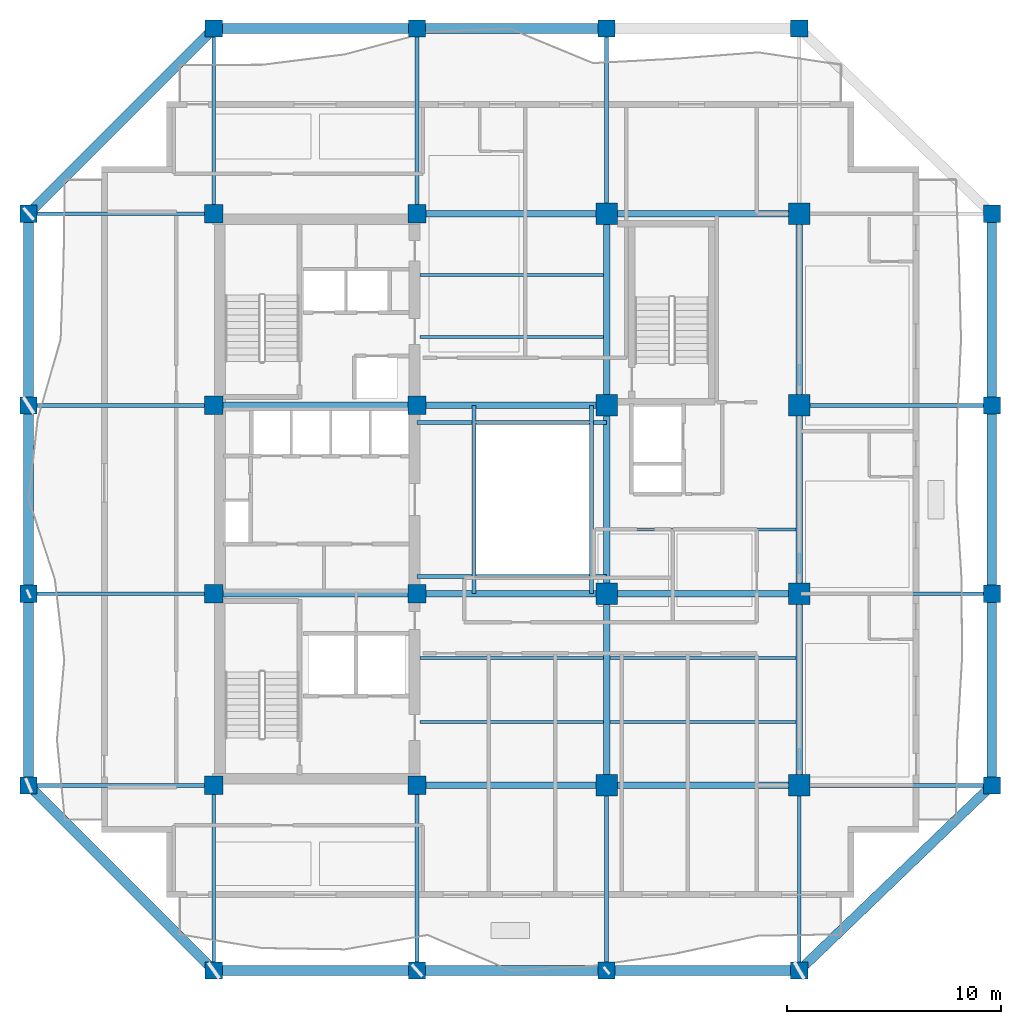
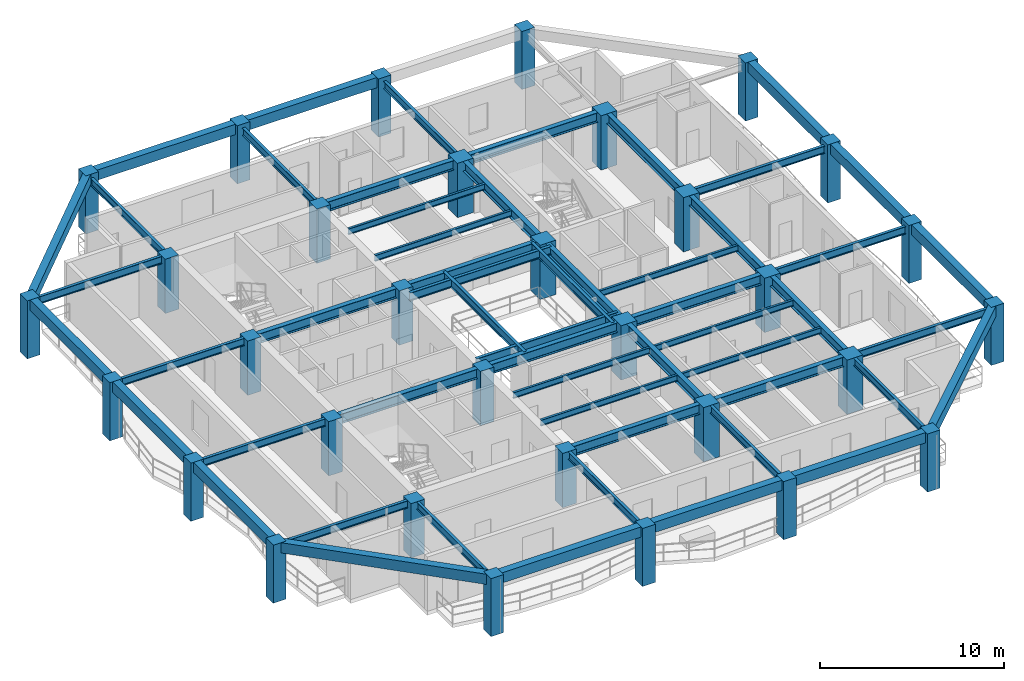
# One storey, part 1 of 11: 54 beams, 32 columns.
"""IFC4 building model written with IfcOpenShell, lengths in metres."""

from ifc_helpers import new_model, si_unit, direction, frame, origin, origin_2d, place, context, subcontext, project, spatial, rectangle, i_section, extrude, material, material_profile, profile_set, type_object, element, save


model = new_model("IFC4")

# Units and contexts
model_context = context("Model", 3, precision=1e-05, world=origin(), true_north=direction((0.0, 1.0)))
body_context = subcontext(model_context, "Body", "Model", "MODEL_VIEW")
ifc_project = project(units=[si_unit("LENGTHUNIT", "METRE"), si_unit("AREAUNIT", "SQUARE_METRE"), si_unit("VOLUMEUNIT", "CUBIC_METRE"), si_unit("PLANEANGLEUNIT", "RADIAN"), si_unit("MASSUNIT", "GRAM", prefix="KILO")], contexts=[model_context])

# Site, building, storey
site_placement = place(None, origin())
site = spatial("IfcSite", under=ifc_project, at=site_placement, CompositionType="ELEMENT")
building_placement = place(site_placement, origin())
building = spatial("IfcBuilding", under=site, at=building_placement, Name="Kundavana Baori Tower", CompositionType="ELEMENT")
storey_placement = place(building_placement, frame((0.0, 0.0, 142.5)))
storey = spatial("IfcBuildingStorey", under=building, at=storey_placement, Name="L34", CompositionType="ELEMENT", Elevation=142.5)

# Columns
ifc_material_1 = material(Name="Concrete C50/60", Category="concrete")
ifc_material_profile_1 = material_profile(ifc_material_1, rectangle(XDim=0.800048828125, YDim=0.800048828125, at=origin_2d()), Name="RC PF 800x800")
ifc_profile_set_1 = profile_set([ifc_material_profile_1], Name="Concrete C50/60")
column_type_1 = type_object("IfcColumnType", Name="COL-PF-800", PredefinedType="COLUMN", material=ifc_profile_set_1)
for number, where, z_axis, x_axis, name in (
    (1, (15.449951171875, 6.60009765625, 0.0), (0.0, 0.0, 1.0), (1.0, 0.0, 0.0), "L34 Stone-Clad Perimeter Frame Column PF-S1"),
    (2, (15.449951171875, 50.60009765625, 0.0), (0.0, 0.0, 1.0), (1.0, 0.0, 0.0), "L34 Stone-Clad Perimeter Frame Column PF-N1"),
    (3, (24.949951171875, 6.60009765625, 0.0), (0.0, 0.0, 1.0), (1.0, 0.0, 0.0), "L34 Stone-Clad Perimeter Frame Column PF-S2"),
    (4, (24.949951171875, 50.60009765625, 0.0), (0.0, 0.0, 1.0), (1.0, 0.0, 0.0), "L34 Stone-Clad Perimeter Frame Column PF-N2"),
    (5, (33.800048828125, 6.60009765625, 0.0), (0.0, 0.0, 1.0), (1.0, 0.0, 0.0), "L34 Stone-Clad Perimeter Frame Column PF-S3"),
    (6, (33.800048828125, 50.60009765625, 0.0), (0.0, 0.0, 1.0), (1.0, 0.0, 0.0), "L34 Stone-Clad Perimeter Frame Column PF-N3"),
    (7, (42.800048828125, 6.60009765625, 0.0), (0.0, 0.0, 1.0), (1.0, 0.0, 0.0), "L34 Stone-Clad Perimeter Frame Column PF-S4"),
    (8, (42.800048828125, 50.60009765625, 0.0), (0.0, 0.0, 1.0), (1.0, 0.0, 0.0), "L34 Stone-Clad Perimeter Frame Column PF-N4"),
    (9, (6.800048828125, 15.25, 0.0), (0.0, 0.0, 1.0), (1.0, 0.0, 0.0), "L34 Stone-Clad Perimeter Frame Column PF-W1"),
    (10, (51.800048828125, 15.25, 0.0), (0.0, 0.0, 1.0), (1.0, 0.0, 0.0), "L34 Stone-Clad Perimeter Frame Column PF-E1"),
    (11, (6.800048828125, 24.199951171875, 0.0), (0.0, 0.0, 1.0), (1.0, 0.0, 0.0), "L34 Stone-Clad Perimeter Frame Column PF-W2"),
    (12, (51.800048828125, 24.199951171875, 0.0), (0.0, 0.0, 1.0), (1.0, 0.0, 0.0), "L34 Stone-Clad Perimeter Frame Column PF-E2"),
    (13, (6.800048828125, 33.0, 0.0), (0.0, 0.0, 1.0), (1.0, 0.0, 0.0), "L34 Stone-Clad Perimeter Frame Column PF-W3"),
    (14, (51.800048828125, 33.0, 0.0), (0.0, 0.0, 1.0), (1.0, 0.0, 0.0), "L34 Stone-Clad Perimeter Frame Column PF-E3"),
    (15, (6.800048828125, 41.949951171875, 0.0), (0.0, 0.0, 1.0), (1.0, 0.0, 0.0), "L34 Stone-Clad Perimeter Frame Column PF-W4"),
    (16, (51.800048828125, 41.949951171875, 0.0), (0.0, 0.0, 1.0), (1.0, 0.0, 0.0), "L34 Stone-Clad Perimeter Frame Column PF-E4"),
):
    element("IfcColumn", number, at=place(storey_placement, frame(where, z_axis=z_axis, x_axis=x_axis)), inside=storey, type_object=column_type_1, Name=name, PredefinedType="COLUMN", context=body_context, shape_type="SweptSolid", body=[
        extrude(rectangle(XDim=0.800048828125, YDim=0.800048828125, at=origin_2d()), origin(), (0.0, 0.0, 1.0), 3.85009765625),
    ])
ifc_material_2 = material(Name="Concrete C50/60", Category="concrete")
ifc_material_profile_2 = material_profile(ifc_material_2, rectangle(XDim=1.0, YDim=1.0, at=origin_2d()), Name="RC 1000x1000")
ifc_profile_set_2 = profile_set([ifc_material_profile_2], Name="Concrete C50/60")
column_type_2 = type_object("IfcColumnType", Name="COL-RC-1000", PredefinedType="COLUMN", material=ifc_profile_set_2)
for number, where, z_axis, x_axis, name in (
    (17, (33.800048828125, 15.25, 0.0), (0.0, 0.0, 1.0), (1.0, 0.0, 0.0), "L34 Interior Column IC-5C"),
    (18, (33.800048828125, 24.199951171875, 0.0), (0.0, 0.0, 1.0), (1.0, 0.0, 0.0), "L34 Interior Column IC-5D"),
    (19, (33.800048828125, 33.0, 0.0), (0.0, 0.0, 1.0), (1.0, 0.0, 0.0), "L34 Interior Column IC-5E"),
    (20, (33.800048828125, 41.949951171875, 0.0), (0.0, 0.0, 1.0), (1.0, 0.0, 0.0), "L34 Interior Column IC-5F"),
    (21, (42.800048828125, 15.25, 0.0), (0.0, 0.0, 1.0), (1.0, 0.0, 0.0), "L34 Interior Column IC-6C"),
    (22, (42.800048828125, 24.199951171875, 0.0), (0.0, 0.0, 1.0), (1.0, 0.0, 0.0), "L34 Interior Column IC-6D"),
    (23, (42.800048828125, 33.0, 0.0), (0.0, 0.0, 1.0), (1.0, 0.0, 0.0), "L34 Interior Column IC-6E"),
    (24, (42.800048828125, 41.949951171875, 0.0), (0.0, 0.0, 1.0), (1.0, 0.0, 0.0), "L34 Interior Column IC-6F"),
):
    element("IfcColumn", number, at=place(storey_placement, frame(where, z_axis=z_axis, x_axis=x_axis)), inside=storey, type_object=column_type_2, Name=name, PredefinedType="COLUMN", context=body_context, shape_type="SweptSolid", body=[
        extrude(rectangle(XDim=1.0, YDim=1.0, at=origin_2d()), origin(), (0.0, 0.0, 1.0), 3.60009765625),
    ])
ifc_material_3 = material(Name="Concrete C50/60", Category="concrete")
ifc_material_profile_3 = material_profile(ifc_material_3, rectangle(XDim=0.85009765625, YDim=0.85009765625, at=origin_2d()), Name="RC 850x850")
ifc_profile_set_3 = profile_set([ifc_material_profile_3], Name="Concrete C50/60")
column_type_3 = type_object("IfcColumnType", Name="COL-RC-850", PredefinedType="COLUMN", material=ifc_profile_set_3)
for number, where, z_axis, x_axis, name in (
    (25, (15.449951171875, 15.25, 0.0), (0.0, 0.0, 1.0), (1.0, 0.0, 0.0), "L34 Interior Column IC-3C"),
    (26, (15.449951171875, 24.199951171875, 0.0), (0.0, 0.0, 1.0), (1.0, 0.0, 0.0), "L34 Interior Column IC-3D"),
    (27, (15.449951171875, 33.0, 0.0), (0.0, 0.0, 1.0), (1.0, 0.0, 0.0), "L34 Interior Column IC-3E"),
    (28, (15.449951171875, 41.949951171875, 0.0), (0.0, 0.0, 1.0), (1.0, 0.0, 0.0), "L34 Interior Column IC-3F"),
    (29, (24.949951171875, 15.25, 0.0), (0.0, 0.0, 1.0), (1.0, 0.0, 0.0), "L34 Interior Column IC-4C"),
    (30, (24.949951171875, 24.199951171875, 0.0), (0.0, 0.0, 1.0), (1.0, 0.0, 0.0), "L34 Interior Column IC-4D"),
    (31, (24.949951171875, 33.0, 0.0), (0.0, 0.0, 1.0), (1.0, 0.0, 0.0), "L34 Interior Column IC-4E"),
    (32, (24.949951171875, 41.949951171875, 0.0), (0.0, 0.0, 1.0), (1.0, 0.0, 0.0), "L34 Interior Column IC-4F"),
):
    element("IfcColumn", number, at=place(storey_placement, frame(where, z_axis=z_axis, x_axis=x_axis)), inside=storey, type_object=column_type_3, Name=name, PredefinedType="COLUMN", context=body_context, shape_type="SweptSolid", body=[
        extrude(rectangle(XDim=0.85009765625, YDim=0.85009765625, at=origin_2d()), origin(), (0.0, 0.0, 1.0), 3.60009765625),
    ])

# Beams
ifc_material_4 = material(Name="Structural Steel S355JR", Category="steel")
ifc_material_profile_4 = material_profile(ifc_material_4, i_section(OverallWidth=0.139892578125, OverallDepth=0.39990234375, WebThickness=0.0087890625, FlangeThickness=0.01611328125, FilletRadius=0.013916015625, at=origin_2d()), Name="ISMB 400")
ifc_profile_set_4 = profile_set([ifc_material_profile_4], Name="Structural Steel S355JR")
beam_type_1 = type_object("IfcBeamType", Name="BM-JST-400", PredefinedType="JOIST", material=ifc_profile_set_4)
for number, where, z_axis, x_axis, name in (
    (33, (25.080078125, 18.199951171875, 3.39990234375), (1.0, 0.0, 0.0), (0.0, 1.0, 0.0), "L34 Central Bay Composite Floor Joist C1"),
    (34, (25.080078125, 21.199951171875, 3.39990234375), (1.0, 0.0, 0.0), (0.0, 1.0, 0.0), "L34 Central Bay Composite Floor Joist C2"),
    (35, (25.080078125, 36.199951171875, 3.39990234375), (1.0, 0.0, 0.0), (0.0, 1.0, 0.0), "L34 Central Bay Composite Floor Joist C3"),
    (36, (25.080078125, 39.10009765625, 3.39990234375), (1.0, 0.0, 0.0), (0.0, 1.0, 0.0), "L34 Central Bay Composite Floor Joist C4"),
):
    element("IfcBeam", number, at=place(storey_placement, frame(where, z_axis=z_axis, x_axis=x_axis)), inside=storey, type_object=beam_type_1, Name=name, PredefinedType="JOIST", context=body_context, shape_type="SweptSolid", body=[
        extrude(i_section(OverallWidth=0.139892578125, OverallDepth=0.39990234375, WebThickness=0.0087890625, FlangeThickness=0.01611328125, FilletRadius=0.013916015625, at=origin_2d()), origin(), (0.0, 0.0, 1.0), 8.56982421875),
    ])
for number, where, z_axis, x_axis, name in (
    (37, (33.949951171875, 18.199951171875, 3.39990234375), (1.0, 0.0, 0.0), (0.0, 1.0, 0.0), "L34 East Bay Composite Floor Joist E1"),
    (38, (33.949951171875, 21.199951171875, 3.39990234375), (1.0, 0.0, 0.0), (0.0, 1.0, 0.0), "L34 East Bay Composite Floor Joist E2"),
    (39, (33.949951171875, 27.199951171875, 3.39990234375), (1.0, 0.0, 0.0), (0.0, 1.0, 0.0), "L34 East Bay Composite Floor Joist E3"),
):
    element("IfcBeam", number, at=place(storey_placement, frame(where, z_axis=z_axis, x_axis=x_axis)), inside=storey, type_object=beam_type_1, Name=name, PredefinedType="JOIST", context=body_context, shape_type="SweptSolid", body=[
        extrude(i_section(OverallWidth=0.139892578125, OverallDepth=0.39990234375, WebThickness=0.0087890625, FlangeThickness=0.01611328125, FilletRadius=0.013916015625, at=origin_2d()), origin(), (0.0, 0.0, 1.0), 8.699951171875),
    ])
ifc_material_5 = material(Name="Concrete C50/60", Category="concrete")
ifc_material_profile_5 = material_profile(ifc_material_5, rectangle(XDim=0.449951171875, YDim=0.679931640625, at=origin_2d()), Name="RC BM 450x680")
ifc_profile_set_5 = profile_set([ifc_material_profile_5], Name="Concrete C50/60")
beam_type_2 = type_object("IfcBeamType", Name="BM-PF-680", PredefinedType="SPANDREL", material=ifc_profile_set_5)
beam_1_placement = place(storey_placement, frame((15.449951171875, 6.60009765625, 3.510009765625), z_axis=(1.0, 0.0, 0.0), x_axis=(0.0, 1.0, 0.0)))
element("IfcBeam", 40, at=beam_1_placement, inside=storey, type_object=beam_type_2, Name="L34 Perimeter Frame Ring Beam S1", PredefinedType="SPANDREL", context=body_context, shape_type="SweptSolid", body=[
    extrude(rectangle(XDim=0.449951171875, YDim=0.679931640625, at=origin_2d()), origin(), (0.0, 0.0, 1.0), 9.5),
])
beam_2_placement = place(storey_placement, frame((24.949951171875, 6.60009765625, 3.510009765625), z_axis=(1.0, 0.0, 0.0), x_axis=(0.0, 1.0, 0.0)))
element("IfcBeam", 41, at=beam_2_placement, inside=storey, type_object=beam_type_2, Name="L34 Perimeter Frame Ring Beam S2", PredefinedType="SPANDREL", context=body_context, shape_type="SweptSolid", body=[
    extrude(rectangle(XDim=0.449951171875, YDim=0.679931640625, at=origin_2d()), origin(), (0.0, 0.0, 1.0), 8.85009765625),
])
beam_3_placement = place(storey_placement, frame((33.800048828125, 6.60009765625, 3.510009765625), z_axis=(1.0, 0.0, 0.0), x_axis=(0.0, 1.0, 0.0)))
element("IfcBeam", 42, at=beam_3_placement, inside=storey, type_object=beam_type_2, Name="L34 Perimeter Frame Ring Beam S3", PredefinedType="SPANDREL", context=body_context, shape_type="SweptSolid", body=[
    extrude(rectangle(XDim=0.449951171875, YDim=0.679931640625, at=origin_2d()), origin(), (0.0, 0.0, 1.0), 9.0),
])
beam_4_placement = place(storey_placement, frame((15.449951171875, 50.60009765625, 3.510009765625), z_axis=(1.0, 0.0, 0.0), x_axis=(0.0, 1.0, 0.0)))
element("IfcBeam", 43, at=beam_4_placement, inside=storey, type_object=beam_type_2, Name="L34 Perimeter Frame Ring Beam N1", PredefinedType="SPANDREL", context=body_context, shape_type="SweptSolid", body=[
    extrude(rectangle(XDim=0.449951171875, YDim=0.679931640625, at=origin_2d()), origin(), (0.0, 0.0, 1.0), 9.5),
])
beam_5_placement = place(storey_placement, frame((24.949951171875, 50.60009765625, 3.510009765625), z_axis=(1.0, 0.0, 0.0), x_axis=(0.0, 1.0, 0.0)))
element("IfcBeam", 44, at=beam_5_placement, inside=storey, type_object=beam_type_2, Name="L34 Perimeter Frame Ring Beam N2", PredefinedType="SPANDREL", context=body_context, shape_type="SweptSolid", body=[
    extrude(rectangle(XDim=0.449951171875, YDim=0.679931640625, at=origin_2d()), origin(), (0.0, 0.0, 1.0), 8.85009765625),
])
beam_6_placement = place(storey_placement, frame((6.800048828125, 15.25, 3.510009765625), z_axis=(0.0, 1.0, 0.0), x_axis=(-1.0, 0.0, 0.0)))
element("IfcBeam", 45, at=beam_6_placement, inside=storey, type_object=beam_type_2, Name="L34 Perimeter Frame Ring Beam W1", PredefinedType="SPANDREL", context=body_context, shape_type="SweptSolid", body=[
    extrude(rectangle(XDim=0.449951171875, YDim=0.679931640625, at=origin_2d()), origin(), (0.0, 0.0, 1.0), 8.949951171875),
])
beam_7_placement = place(storey_placement, frame((6.800048828125, 24.199951171875, 3.510009765625), z_axis=(0.0, 1.0, 0.0), x_axis=(-1.0, 0.0, 0.0)))
element("IfcBeam", 46, at=beam_7_placement, inside=storey, type_object=beam_type_2, Name="L34 Perimeter Frame Ring Beam W2", PredefinedType="SPANDREL", context=body_context, shape_type="SweptSolid", body=[
    extrude(rectangle(XDim=0.449951171875, YDim=0.679931640625, at=origin_2d()), origin(), (0.0, 0.0, 1.0), 8.800048828125),
])
for number, where, z_axis, x_axis, name in (
    (47, (6.800048828125, 33.0, 3.510009765625), (0.0, 1.0, 0.0), (-1.0, 0.0, 0.0), "L34 Perimeter Frame Ring Beam W3"),
    (48, (51.800048828125, 15.25, 3.510009765625), (0.0, 1.0, 0.0), (-1.0, 0.0, 0.0), "L34 Perimeter Frame Ring Beam E1"),
):
    element("IfcBeam", number, at=place(storey_placement, frame(where, z_axis=z_axis, x_axis=x_axis)), inside=storey, type_object=beam_type_2, Name=name, PredefinedType="SPANDREL", context=body_context, shape_type="SweptSolid", body=[
        extrude(rectangle(XDim=0.449951171875, YDim=0.679931640625, at=origin_2d()), origin(), (0.0, 0.0, 1.0), 8.949951171875),
    ])
beam_8_placement = place(storey_placement, frame((51.800048828125, 24.199951171875, 3.510009765625), z_axis=(0.0, 1.0, 0.0), x_axis=(-1.0, 0.0, 0.0)))
element("IfcBeam", 49, at=beam_8_placement, inside=storey, type_object=beam_type_2, Name="L34 Perimeter Frame Ring Beam E2", PredefinedType="SPANDREL", context=body_context, shape_type="SweptSolid", body=[
    extrude(rectangle(XDim=0.449951171875, YDim=0.679931640625, at=origin_2d()), origin(), (0.0, 0.0, 1.0), 8.800048828125),
])
beam_9_placement = place(storey_placement, frame((51.800048828125, 33.0, 3.510009765625), z_axis=(0.0, 1.0, 0.0), x_axis=(-1.0, 0.0, 0.0)))
element("IfcBeam", 50, at=beam_9_placement, inside=storey, type_object=beam_type_2, Name="L34 Perimeter Frame Ring Beam E3", PredefinedType="SPANDREL", context=body_context, shape_type="SweptSolid", body=[
    extrude(rectangle(XDim=0.449951171875, YDim=0.679931640625, at=origin_2d()), origin(), (0.0, 0.0, 1.0), 8.949951171875),
])
beam_10_placement = place(storey_placement, frame((15.449951171875, 6.60009765625, 3.510009765625), z_axis=(-0.707106781187, 0.707106781187, 0.0), x_axis=(-0.707106781187, -0.707106781187, 0.0)))
element("IfcBeam", 51, at=beam_10_placement, inside=storey, type_object=beam_type_2, Name="L34 Notched Corner Perimeter Beam SW", PredefinedType="SPANDREL", context=body_context, shape_type="SweptSolid", body=[
    extrude(rectangle(XDim=0.449951171875, YDim=0.679931640625, at=origin_2d()), origin(), (0.0, 0.0, 1.0), 12.23291015625),
])
beam_11_placement = place(storey_placement, frame((42.800048828125, 6.60009765625, 3.510009765625), z_axis=(0.720990894297, 0.692944536266, 0.0), x_axis=(-0.692944536266, 0.720990894297, 0.0)))
element("IfcBeam", 52, at=beam_11_placement, inside=storey, type_object=beam_type_2, Name="L34 Notched Corner Perimeter Beam SE", PredefinedType="SPANDREL", context=body_context, shape_type="SweptSolid", body=[
    extrude(rectangle(XDim=0.449951171875, YDim=0.679931640625, at=origin_2d()), origin(), (0.0, 0.0, 1.0), 12.48291015625),
])
beam_12_placement = place(storey_placement, frame((15.449951171875, 50.60009765625, 3.510009765625), z_axis=(-0.70709680233, -0.707116759903, 0.0), x_axis=(0.707116759903, -0.70709680233, 0.0)))
element("IfcBeam", 53, at=beam_12_placement, inside=storey, type_object=beam_type_2, Name="L34 Notched Corner Perimeter Beam NW", PredefinedType="SPANDREL", context=body_context, shape_type="SweptSolid", body=[
    extrude(rectangle(XDim=0.449951171875, YDim=0.679931640625, at=origin_2d()), origin(), (0.0, 0.0, 1.0), 12.23291015625),
])
ifc_material_6 = material(Name="Structural Steel S355JR", Category="steel")
ifc_material_profile_6 = material_profile(ifc_material_6, i_section(OverallWidth=0.18994140625, OverallDepth=0.550048828125, WebThickness=0.01123046875, FlangeThickness=0.019287109375, FilletRadius=0.01806640625, at=origin_2d()), Name="ISMB 550")
ifc_profile_set_6 = profile_set([ifc_material_profile_6], Name="Structural Steel S355JR")
beam_type_3 = type_object("IfcBeamType", Name="BM-ST-550", PredefinedType="BEAM", material=ifc_profile_set_6)
for number, where, z_axis, x_axis, name in (
    (54, (27.60009765625, 24.199951171875, 3.324951171875), (0.0, 1.0, 0.0), (-1.0, 0.0, 0.0), "L34 Atrium West Edge Beam"),
    (55, (33.10009765625, 24.199951171875, 3.324951171875), (0.0, 1.0, 0.0), (-1.0, 0.0, 0.0), "L34 Atrium East Edge Beam"),
):
    element("IfcBeam", number, at=place(storey_placement, frame(where, z_axis=z_axis, x_axis=x_axis)), inside=storey, type_object=beam_type_3, Name=name, PredefinedType="BEAM", context=body_context, shape_type="SweptSolid", body=[
        extrude(i_section(OverallWidth=0.18994140625, OverallDepth=0.550048828125, WebThickness=0.01123046875, FlangeThickness=0.019287109375, FilletRadius=0.01806640625, at=origin_2d()), origin(), (0.0, 0.0, 1.0), 8.800048828125),
    ])
for number, where, z_axis, x_axis, name in (
    (56, (24.949951171875, 25.0, 3.324951171875), (1.0, 0.0, 0.0), (0.0, 1.0, 0.0), "L34 Atrium South Edge Beam"),
    (57, (24.949951171875, 32.199951171875, 3.324951171875), (1.0, 0.0, 0.0), (0.0, 1.0, 0.0), "L34 Atrium North Edge Beam"),
):
    element("IfcBeam", number, at=place(storey_placement, frame(where, z_axis=z_axis, x_axis=x_axis)), inside=storey, type_object=beam_type_3, Name=name, PredefinedType="BEAM", context=body_context, shape_type="SweptSolid", body=[
        extrude(i_section(OverallWidth=0.18994140625, OverallDepth=0.550048828125, WebThickness=0.01123046875, FlangeThickness=0.019287109375, FilletRadius=0.01806640625, at=origin_2d()), origin(), (0.0, 0.0, 1.0), 8.85009765625),
    ])
ifc_material_7 = material(Name="Structural Steel S355JR", Category="steel")
ifc_material_profile_7 = material_profile(ifc_material_7, i_section(OverallWidth=0.300048828125, OverallDepth=0.64990234375, WebThickness=0.013427734375, FlangeThickness=0.02197265625, FilletRadius=0.02392578125, at=origin_2d()), Name="NPB 650x300x155")
ifc_profile_set_7 = profile_set([ifc_material_profile_7], Name="Structural Steel S355JR")
beam_type_4 = type_object("IfcBeamType", Name="BM-ST-650", PredefinedType="BEAM", material=ifc_profile_set_7)
beam_13_placement = place(storey_placement, frame((24.949951171875, 15.25, 3.27490234375), z_axis=(1.0, 0.0, 0.0), x_axis=(0.0, 1.0, 0.0)))
element("IfcBeam", 58, at=beam_13_placement, inside=storey, type_object=beam_type_4, Name="L34 Primary Grid Girder GX-1-2", PredefinedType="BEAM", context=body_context, shape_type="SweptSolid", body=[
    extrude(i_section(OverallWidth=0.300048828125, OverallDepth=0.64990234375, WebThickness=0.013427734375, FlangeThickness=0.02197265625, FilletRadius=0.02392578125, at=origin_2d()), origin(), (0.0, 0.0, 1.0), 8.85009765625),
])
beam_14_placement = place(storey_placement, frame((33.800048828125, 15.25, 3.27490234375), z_axis=(1.0, 0.0, 0.0), x_axis=(0.0, 1.0, 0.0)))
element("IfcBeam", 59, at=beam_14_placement, inside=storey, type_object=beam_type_4, Name="L34 Primary Grid Girder GX-1-3", PredefinedType="BEAM", context=body_context, shape_type="SweptSolid", body=[
    extrude(i_section(OverallWidth=0.300048828125, OverallDepth=0.64990234375, WebThickness=0.013427734375, FlangeThickness=0.02197265625, FilletRadius=0.02392578125, at=origin_2d()), origin(), (0.0, 0.0, 1.0), 9.0),
])
beam_15_placement = place(storey_placement, frame((15.449951171875, 24.199951171875, 3.27490234375), z_axis=(1.0, 0.0, 0.0), x_axis=(0.0, 1.0, 0.0)))
element("IfcBeam", 60, at=beam_15_placement, inside=storey, type_object=beam_type_4, Name="L34 Primary Grid Girder GX-2-1", PredefinedType="BEAM", context=body_context, shape_type="SweptSolid", body=[
    extrude(i_section(OverallWidth=0.300048828125, OverallDepth=0.64990234375, WebThickness=0.013427734375, FlangeThickness=0.02197265625, FilletRadius=0.02392578125, at=origin_2d()), origin(), (0.0, 0.0, 1.0), 9.5),
])
beam_16_placement = place(storey_placement, frame((24.949951171875, 24.199951171875, 3.27490234375), z_axis=(1.0, 0.0, 0.0), x_axis=(0.0, 1.0, 0.0)))
element("IfcBeam", 61, at=beam_16_placement, inside=storey, type_object=beam_type_4, Name="L34 Primary Grid Girder GX-2-2", PredefinedType="BEAM", context=body_context, shape_type="SweptSolid", body=[
    extrude(i_section(OverallWidth=0.300048828125, OverallDepth=0.64990234375, WebThickness=0.013427734375, FlangeThickness=0.02197265625, FilletRadius=0.02392578125, at=origin_2d()), origin(), (0.0, 0.0, 1.0), 8.85009765625),
])
beam_17_placement = place(storey_placement, frame((33.800048828125, 24.199951171875, 3.27490234375), z_axis=(1.0, 0.0, 0.0), x_axis=(0.0, 1.0, 0.0)))
element("IfcBeam", 62, at=beam_17_placement, inside=storey, type_object=beam_type_4, Name="L34 Primary Grid Girder GX-2-3", PredefinedType="BEAM", context=body_context, shape_type="SweptSolid", body=[
    extrude(i_section(OverallWidth=0.300048828125, OverallDepth=0.64990234375, WebThickness=0.013427734375, FlangeThickness=0.02197265625, FilletRadius=0.02392578125, at=origin_2d()), origin(), (0.0, 0.0, 1.0), 9.0),
])
beam_18_placement = place(storey_placement, frame((15.449951171875, 33.0, 3.27490234375), z_axis=(1.0, 0.0, 0.0), x_axis=(0.0, 1.0, 0.0)))
element("IfcBeam", 63, at=beam_18_placement, inside=storey, type_object=beam_type_4, Name="L34 Primary Grid Girder GX-3-1", PredefinedType="BEAM", context=body_context, shape_type="SweptSolid", body=[
    extrude(i_section(OverallWidth=0.300048828125, OverallDepth=0.64990234375, WebThickness=0.013427734375, FlangeThickness=0.02197265625, FilletRadius=0.02392578125, at=origin_2d()), origin(), (0.0, 0.0, 1.0), 9.5),
])
for number, where, z_axis, x_axis, name in (
    (64, (24.949951171875, 33.0, 3.27490234375), (1.0, 0.0, 0.0), (0.0, 1.0, 0.0), "L34 Primary Grid Girder GX-3-2"),
    (65, (24.949951171875, 41.949951171875, 3.27490234375), (1.0, 0.0, 0.0), (0.0, 1.0, 0.0), "L34 Primary Grid Girder GX-4-2"),
):
    element("IfcBeam", number, at=place(storey_placement, frame(where, z_axis=z_axis, x_axis=x_axis)), inside=storey, type_object=beam_type_4, Name=name, PredefinedType="BEAM", context=body_context, shape_type="SweptSolid", body=[
        extrude(i_section(OverallWidth=0.300048828125, OverallDepth=0.64990234375, WebThickness=0.013427734375, FlangeThickness=0.02197265625, FilletRadius=0.02392578125, at=origin_2d()), origin(), (0.0, 0.0, 1.0), 8.85009765625),
    ])
beam_19_placement = place(storey_placement, frame((33.800048828125, 41.949951171875, 3.27490234375), z_axis=(1.0, 0.0, 0.0), x_axis=(0.0, 1.0, 0.0)))
element("IfcBeam", 66, at=beam_19_placement, inside=storey, type_object=beam_type_4, Name="L34 Primary Grid Girder GX-4-3", PredefinedType="BEAM", context=body_context, shape_type="SweptSolid", body=[
    extrude(i_section(OverallWidth=0.300048828125, OverallDepth=0.64990234375, WebThickness=0.013427734375, FlangeThickness=0.02197265625, FilletRadius=0.02392578125, at=origin_2d()), origin(), (0.0, 0.0, 1.0), 9.0),
])
beam_20_placement = place(storey_placement, frame((33.800048828125, 15.25, 3.27490234375), z_axis=(0.0, 1.0, 0.0), x_axis=(-1.0, 0.0, 0.0)))
element("IfcBeam", 67, at=beam_20_placement, inside=storey, type_object=beam_type_4, Name="L34 Primary Grid Girder GY-3-1", PredefinedType="BEAM", context=body_context, shape_type="SweptSolid", body=[
    extrude(i_section(OverallWidth=0.300048828125, OverallDepth=0.64990234375, WebThickness=0.013427734375, FlangeThickness=0.02197265625, FilletRadius=0.02392578125, at=origin_2d()), origin(), (0.0, 0.0, 1.0), 8.949951171875),
])
beam_21_placement = place(storey_placement, frame((33.800048828125, 24.199951171875, 3.27490234375), z_axis=(0.0, 1.0, 0.0), x_axis=(-1.0, 0.0, 0.0)))
element("IfcBeam", 68, at=beam_21_placement, inside=storey, type_object=beam_type_4, Name="L34 Primary Grid Girder GY-3-2", PredefinedType="BEAM", context=body_context, shape_type="SweptSolid", body=[
    extrude(i_section(OverallWidth=0.300048828125, OverallDepth=0.64990234375, WebThickness=0.013427734375, FlangeThickness=0.02197265625, FilletRadius=0.02392578125, at=origin_2d()), origin(), (0.0, 0.0, 1.0), 8.800048828125),
])
for number, where, z_axis, x_axis, name in (
    (69, (33.800048828125, 33.0, 3.27490234375), (0.0, 1.0, 0.0), (-1.0, 0.0, 0.0), "L34 Primary Grid Girder GY-3-3"),
    (70, (42.800048828125, 15.25, 3.27490234375), (0.0, 1.0, 0.0), (-1.0, 0.0, 0.0), "L34 Primary Grid Girder GY-4-1"),
):
    element("IfcBeam", number, at=place(storey_placement, frame(where, z_axis=z_axis, x_axis=x_axis)), inside=storey, type_object=beam_type_4, Name=name, PredefinedType="BEAM", context=body_context, shape_type="SweptSolid", body=[
        extrude(i_section(OverallWidth=0.300048828125, OverallDepth=0.64990234375, WebThickness=0.013427734375, FlangeThickness=0.02197265625, FilletRadius=0.02392578125, at=origin_2d()), origin(), (0.0, 0.0, 1.0), 8.949951171875),
    ])
beam_22_placement = place(storey_placement, frame((42.800048828125, 24.199951171875, 3.27490234375), z_axis=(0.0, 1.0, 0.0), x_axis=(-1.0, 0.0, 0.0)))
element("IfcBeam", 71, at=beam_22_placement, inside=storey, type_object=beam_type_4, Name="L34 Primary Grid Girder GY-4-2", PredefinedType="BEAM", context=body_context, shape_type="SweptSolid", body=[
    extrude(i_section(OverallWidth=0.300048828125, OverallDepth=0.64990234375, WebThickness=0.013427734375, FlangeThickness=0.02197265625, FilletRadius=0.02392578125, at=origin_2d()), origin(), (0.0, 0.0, 1.0), 8.800048828125),
])
beam_23_placement = place(storey_placement, frame((42.800048828125, 33.0, 3.27490234375), z_axis=(0.0, 1.0, 0.0), x_axis=(-1.0, 0.0, 0.0)))
element("IfcBeam", 72, at=beam_23_placement, inside=storey, type_object=beam_type_4, Name="L34 Primary Grid Girder GY-4-3", PredefinedType="BEAM", context=body_context, shape_type="SweptSolid", body=[
    extrude(i_section(OverallWidth=0.300048828125, OverallDepth=0.64990234375, WebThickness=0.013427734375, FlangeThickness=0.02197265625, FilletRadius=0.02392578125, at=origin_2d()), origin(), (0.0, 0.0, 1.0), 8.949951171875),
])
ifc_material_8 = material(Name="Structural Steel S355JR", Category="steel")
ifc_material_profile_8 = material_profile(ifc_material_8, i_section(OverallWidth=0.179931640625, OverallDepth=0.5, WebThickness=0.01025390625, FlangeThickness=0.01708984375, FilletRadius=0.01708984375, at=origin_2d()), Name="ISMB 500")
ifc_profile_set_8 = profile_set([ifc_material_profile_8], Name="Structural Steel S355JR")
beam_type_5 = type_object("IfcBeamType", Name="BM-TIE-500", PredefinedType="BEAM", material=ifc_profile_set_8)
beam_24_placement = place(storey_placement, frame((15.449951171875, 15.25, 3.35009765625), z_axis=(0.0, -1.0, 0.0), x_axis=(1.0, 0.0, 0.0)))
element("IfcBeam", 73, at=beam_24_placement, inside=storey, type_object=beam_type_5, Name="L34 South Radial Loggia Tie Beam S1", PredefinedType="BEAM", context=body_context, shape_type="SweptSolid", body=[
    extrude(i_section(OverallWidth=0.179931640625, OverallDepth=0.5, WebThickness=0.01025390625, FlangeThickness=0.01708984375, FilletRadius=0.01708984375, at=origin_2d()), origin(), (0.0, 0.0, 1.0), 8.64990234375),
])
beam_25_placement = place(storey_placement, frame((15.449951171875, 41.949951171875, 3.35009765625), z_axis=(0.0, 1.0, 0.0), x_axis=(-1.0, 0.0, 0.0)))
element("IfcBeam", 74, at=beam_25_placement, inside=storey, type_object=beam_type_5, Name="L34 North Radial Loggia Tie Beam N1", PredefinedType="BEAM", context=body_context, shape_type="SweptSolid", body=[
    extrude(i_section(OverallWidth=0.179931640625, OverallDepth=0.5, WebThickness=0.01025390625, FlangeThickness=0.01708984375, FilletRadius=0.01708984375, at=origin_2d()), origin(), (0.0, 0.0, 1.0), 8.650146484375),
])
beam_26_placement = place(storey_placement, frame((24.949951171875, 15.25, 3.35009765625), z_axis=(0.0, -1.0, 0.0), x_axis=(1.0, 0.0, 0.0)))
element("IfcBeam", 75, at=beam_26_placement, inside=storey, type_object=beam_type_5, Name="L34 South Radial Loggia Tie Beam S2", PredefinedType="BEAM", context=body_context, shape_type="SweptSolid", body=[
    extrude(i_section(OverallWidth=0.179931640625, OverallDepth=0.5, WebThickness=0.01025390625, FlangeThickness=0.01708984375, FilletRadius=0.01708984375, at=origin_2d()), origin(), (0.0, 0.0, 1.0), 8.64990234375),
])
beam_27_placement = place(storey_placement, frame((24.949951171875, 41.949951171875, 3.35009765625), z_axis=(0.0, 1.0, 0.0), x_axis=(-1.0, 0.0, 0.0)))
element("IfcBeam", 76, at=beam_27_placement, inside=storey, type_object=beam_type_5, Name="L34 North Radial Loggia Tie Beam N2", PredefinedType="BEAM", context=body_context, shape_type="SweptSolid", body=[
    extrude(i_section(OverallWidth=0.179931640625, OverallDepth=0.5, WebThickness=0.01025390625, FlangeThickness=0.01708984375, FilletRadius=0.01708984375, at=origin_2d()), origin(), (0.0, 0.0, 1.0), 8.650146484375),
])
beam_28_placement = place(storey_placement, frame((33.800048828125, 15.25, 3.35009765625), z_axis=(0.0, -1.0, 0.0), x_axis=(1.0, 0.0, 0.0)))
element("IfcBeam", 77, at=beam_28_placement, inside=storey, type_object=beam_type_5, Name="L34 South Radial Loggia Tie Beam S3", PredefinedType="BEAM", context=body_context, shape_type="SweptSolid", body=[
    extrude(i_section(OverallWidth=0.179931640625, OverallDepth=0.5, WebThickness=0.01025390625, FlangeThickness=0.01708984375, FilletRadius=0.01708984375, at=origin_2d()), origin(), (0.0, 0.0, 1.0), 8.64990234375),
])
beam_29_placement = place(storey_placement, frame((33.800048828125, 41.949951171875, 3.35009765625), z_axis=(0.0, 1.0, 0.0), x_axis=(-1.0, 0.0, 0.0)))
element("IfcBeam", 78, at=beam_29_placement, inside=storey, type_object=beam_type_5, Name="L34 North Radial Loggia Tie Beam N3", PredefinedType="BEAM", context=body_context, shape_type="SweptSolid", body=[
    extrude(i_section(OverallWidth=0.179931640625, OverallDepth=0.5, WebThickness=0.01025390625, FlangeThickness=0.01708984375, FilletRadius=0.01708984375, at=origin_2d()), origin(), (0.0, 0.0, 1.0), 8.650146484375),
])
for number, where, z_axis, x_axis, name in (
    (79, (42.800048828125, 15.25, 3.35009765625), (0.0, -1.0, 0.0), (1.0, 0.0, 0.0), "L34 South Radial Loggia Tie Beam S4"),
    (80, (15.449951171875, 15.25, 3.35009765625), (-1.0, 0.0, 0.0), (0.0, -1.0, 0.0), "L34 West Radial Loggia Tie Beam W1"),
):
    element("IfcBeam", number, at=place(storey_placement, frame(where, z_axis=z_axis, x_axis=x_axis)), inside=storey, type_object=beam_type_5, Name=name, PredefinedType="BEAM", context=body_context, shape_type="SweptSolid", body=[
        extrude(i_section(OverallWidth=0.179931640625, OverallDepth=0.5, WebThickness=0.01025390625, FlangeThickness=0.01708984375, FilletRadius=0.01708984375, at=origin_2d()), origin(), (0.0, 0.0, 1.0), 8.64990234375),
    ])
beam_30_placement = place(storey_placement, frame((42.800048828125, 15.25, 3.35009765625), z_axis=(1.0, 0.0, 0.0), x_axis=(0.0, 1.0, 0.0)))
element("IfcBeam", 81, at=beam_30_placement, inside=storey, type_object=beam_type_5, Name="L34 East Radial Loggia Tie Beam E1", PredefinedType="BEAM", context=body_context, shape_type="SweptSolid", body=[
    extrude(i_section(OverallWidth=0.179931640625, OverallDepth=0.5, WebThickness=0.01025390625, FlangeThickness=0.01708984375, FilletRadius=0.01708984375, at=origin_2d()), origin(), (0.0, 0.0, 1.0), 9.0),
])
beam_31_placement = place(storey_placement, frame((15.449951171875, 24.199951171875, 3.35009765625), z_axis=(-1.0, 0.0, 0.0), x_axis=(0.0, -1.0, 0.0)))
element("IfcBeam", 82, at=beam_31_placement, inside=storey, type_object=beam_type_5, Name="L34 West Radial Loggia Tie Beam W2", PredefinedType="BEAM", context=body_context, shape_type="SweptSolid", body=[
    extrude(i_section(OverallWidth=0.179931640625, OverallDepth=0.5, WebThickness=0.01025390625, FlangeThickness=0.01708984375, FilletRadius=0.01708984375, at=origin_2d()), origin(), (0.0, 0.0, 1.0), 8.64990234375),
])
beam_32_placement = place(storey_placement, frame((42.800048828125, 24.199951171875, 3.35009765625), z_axis=(1.0, 0.0, 0.0), x_axis=(0.0, 1.0, 0.0)))
element("IfcBeam", 83, at=beam_32_placement, inside=storey, type_object=beam_type_5, Name="L34 East Radial Loggia Tie Beam E2", PredefinedType="BEAM", context=body_context, shape_type="SweptSolid", body=[
    extrude(i_section(OverallWidth=0.179931640625, OverallDepth=0.5, WebThickness=0.01025390625, FlangeThickness=0.01708984375, FilletRadius=0.01708984375, at=origin_2d()), origin(), (0.0, 0.0, 1.0), 9.0),
])
beam_33_placement = place(storey_placement, frame((15.449951171875, 33.0, 3.35009765625), z_axis=(-1.0, 0.0, 0.0), x_axis=(0.0, -1.0, 0.0)))
element("IfcBeam", 84, at=beam_33_placement, inside=storey, type_object=beam_type_5, Name="L34 West Radial Loggia Tie Beam W3", PredefinedType="BEAM", context=body_context, shape_type="SweptSolid", body=[
    extrude(i_section(OverallWidth=0.179931640625, OverallDepth=0.5, WebThickness=0.01025390625, FlangeThickness=0.01708984375, FilletRadius=0.01708984375, at=origin_2d()), origin(), (0.0, 0.0, 1.0), 8.64990234375),
])
beam_34_placement = place(storey_placement, frame((42.800048828125, 33.0, 3.35009765625), z_axis=(1.0, 0.0, 0.0), x_axis=(0.0, 1.0, 0.0)))
element("IfcBeam", 85, at=beam_34_placement, inside=storey, type_object=beam_type_5, Name="L34 East Radial Loggia Tie Beam E3", PredefinedType="BEAM", context=body_context, shape_type="SweptSolid", body=[
    extrude(i_section(OverallWidth=0.179931640625, OverallDepth=0.5, WebThickness=0.01025390625, FlangeThickness=0.01708984375, FilletRadius=0.01708984375, at=origin_2d()), origin(), (0.0, 0.0, 1.0), 9.0),
])
beam_35_placement = place(storey_placement, frame((15.449951171875, 41.949951171875, 3.35009765625), z_axis=(-1.0, 0.0, 0.0), x_axis=(0.0, -1.0, 0.0)))
element("IfcBeam", 86, at=beam_35_placement, inside=storey, type_object=beam_type_5, Name="L34 West Radial Loggia Tie Beam W4", PredefinedType="BEAM", context=body_context, shape_type="SweptSolid", body=[
    extrude(i_section(OverallWidth=0.179931640625, OverallDepth=0.5, WebThickness=0.01025390625, FlangeThickness=0.01708984375, FilletRadius=0.01708984375, at=origin_2d()), origin(), (0.0, 0.0, 1.0), 8.64990234375),
])

save(model, "model.ifc")
